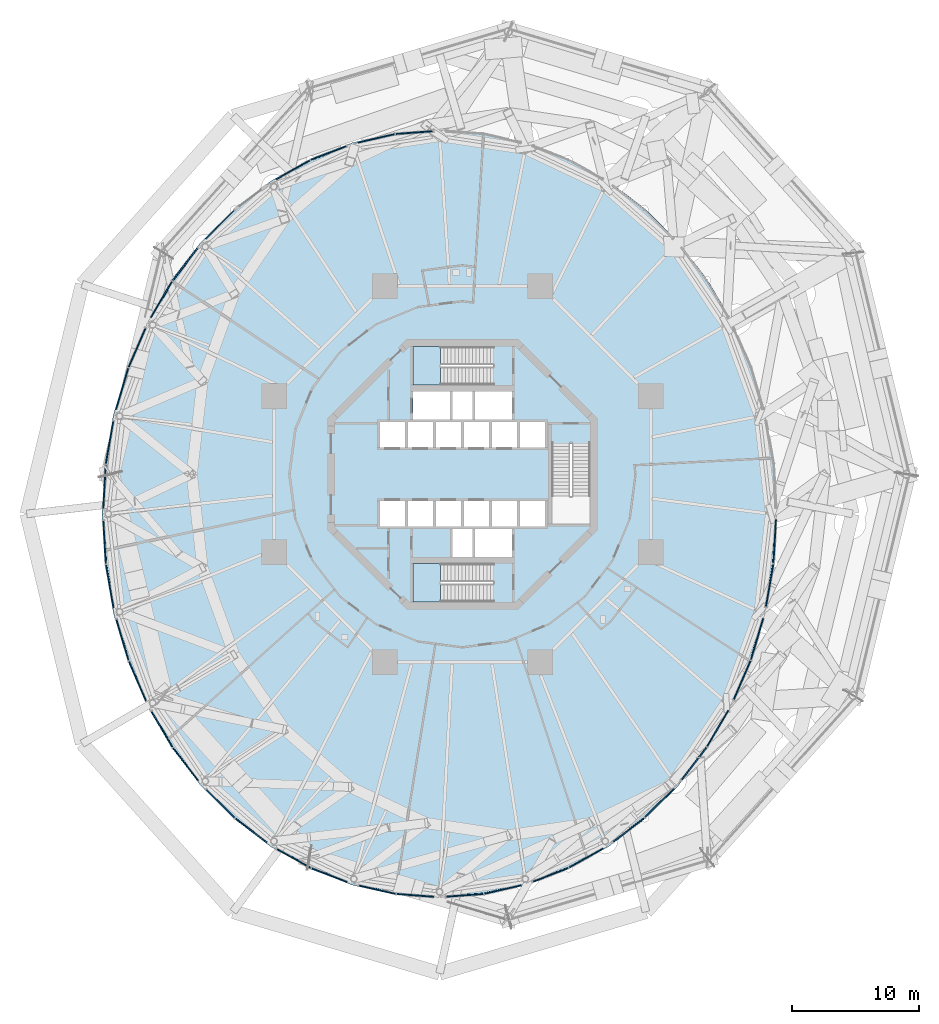
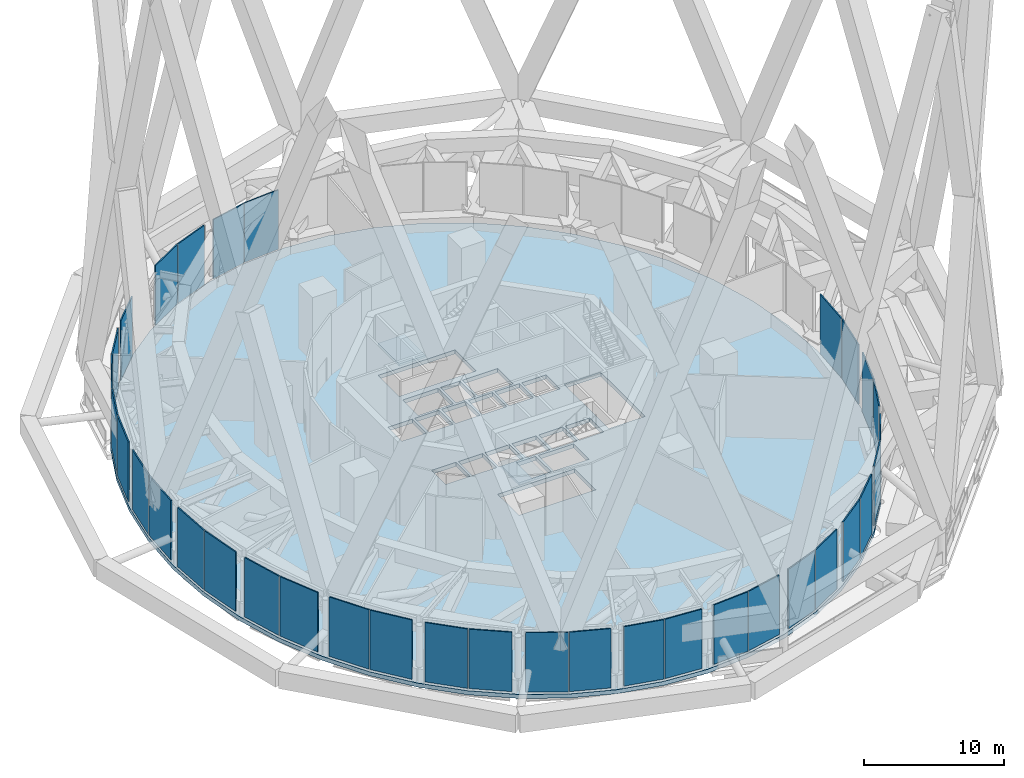
# One storey, part 36 of 49: 35 plates, 3 slabs, 37 elements without a shape of their own.
"""IFC4 building model written with IfcOpenShell, lengths in metres."""

from ifc_helpers import new_model, si_unit, direction, frame, origin, origin_2d, place, context, subcontext, project, spatial, polyline, rectangle, outline, extrude, material, layer, layer_set, type_object, element, aggregate, save


model = new_model("IFC4")

# Units and contexts
model_context = context("Model", 3, precision=1e-05, world=origin(), true_north=direction((0.0, 1.0)))
body_context = subcontext(model_context, "Body", "Model", "MODEL_VIEW")
ifc_project = project(units=[si_unit("LENGTHUNIT", "METRE"), si_unit("AREAUNIT", "SQUARE_METRE"), si_unit("VOLUMEUNIT", "CUBIC_METRE"), si_unit("PLANEANGLEUNIT", "RADIAN"), si_unit("MASSUNIT", "GRAM", prefix="KILO")], contexts=[model_context])

# Site, building, storey
site_placement = place(None, origin())
site = spatial("IfcSite", under=ifc_project, at=site_placement, CompositionType="ELEMENT")
building_placement = place(site_placement, origin())
building = spatial("IfcBuilding", under=site, at=building_placement, Name="Nagisa Residences", CompositionType="ELEMENT")
storey_placement = place(building_placement, frame((0.0, 0.0, 160.300048828125)))
storey = spatial("IfcBuildingStorey", under=building, at=storey_placement, Name="L40", CompositionType="ELEMENT", Elevation=160.300048828125)

# Curtain wall, plate
ifc_material_1 = material(Name="Aluminium curtain wall system", Category="aluminium")
ifc_layer_1 = layer(ifc_material_1, 0.159912109375)
ifc_layer_set_1 = layer_set([ifc_layer_1], Name="CW2 CURTAIN WALL")
curtain_wall_type = type_object("IfcCurtainWallType", Name="CW2 CURTAIN WALL", PredefinedType="NOTDEFINED", material=ifc_layer_set_1)
curtain_wall_1_placement = place(storey_placement, origin())
curtain_wall_1 = element("IfcCurtainWall", 1, at=curtain_wall_1_placement, inside=storey, type_object=curtain_wall_type, Name="cw:CW2:L40:12", PredefinedType="NOTDEFINED")
ifc_material_2 = material(Name="Insulated metal spandrel panel")
ifc_layer_2 = layer(ifc_material_2, 0.10009765625)
ifc_layer_set_2 = layer_set([ifc_layer_2], Name="CW2 SPANDREL PANEL")
plate_type = type_object("IfcPlateType", Name="CW2 SPANDREL PANEL", PredefinedType="SHEET", material=ifc_layer_set_2)
plate_1_placement = place(storey_placement, frame((-3.7900390625, 26.8486328125, 0.18017578125), z_axis=(0.0, 0.0, 1.0), x_axis=(-0.997230168512, -0.074377355493, 0.0)))
plate_1 = element("IfcPlate", 2, at=plate_1_placement, type_object=plate_type, Name="CW2 spandrel panel", PredefinedType="SHEET", context=body_context, shape_type="SweptSolid", body=[
    extrude(rectangle(XDim=2.943115234375, YDim=0.10009765625, at=origin_2d()), origin(), (0.0, 0.0, 1.0), 5.159912109375),
])
aggregate(curtain_wall_1, [plate_1])

curtain_wall_2_placement = place(storey_placement, origin())
curtain_wall_2 = element("IfcCurtainWall", 3, at=curtain_wall_2_placement, inside=storey, type_object=curtain_wall_type, Name="cw:CW2:L40:13", PredefinedType="NOTDEFINED")
plate_2_placement = place(storey_placement, frame((-6.767578125, 26.396484375, 0.18017578125), z_axis=(0.0, 0.0, 1.0), x_axis=(-0.975327274089, -0.2207639201, 0.0)))
plate_2 = element("IfcPlate", 4, at=plate_2_placement, type_object=plate_type, Name="CW2 spandrel panel", PredefinedType="SHEET", context=body_context, shape_type="SweptSolid", body=[
    extrude(rectangle(XDim=2.96044921875, YDim=0.10009765625, at=origin_2d()), origin(), (0.0, 0.0, 1.0), 5.159912109375),
])
aggregate(curtain_wall_2, [plate_2])

curtain_wall_3_placement = place(storey_placement, origin())
curtain_wall_3 = element("IfcCurtainWall", 5, at=curtain_wall_3_placement, inside=storey, type_object=curtain_wall_type, Name="cw:CW2:L40:14", PredefinedType="NOTDEFINED")
plate_3_placement = place(storey_placement, frame((-10.529541015625, 25.24365234375, 0.18017578125), z_axis=(0.0, 0.0, 1.0), x_axis=(-0.932825759707, -0.360327770268, 0.0)))
plate_3 = element("IfcPlate", 6, at=plate_3_placement, type_object=plate_type, Name="CW2 spandrel panel", PredefinedType="SHEET", context=body_context, shape_type="SweptSolid", body=[
    extrude(rectangle(XDim=2.993408203125, YDim=0.10009765625, at=origin_2d()), origin(), (0.0, 0.0, 1.0), 5.159912109375),
])
aggregate(curtain_wall_3, [plate_3])

curtain_wall_4_placement = place(storey_placement, origin())
curtain_wall_4 = element("IfcCurtainWall", 7, at=curtain_wall_4_placement, inside=storey, type_object=curtain_wall_type, Name="cw:CW2:L40:15", PredefinedType="NOTDEFINED")
plate_4_placement = place(storey_placement, frame((-13.310546875, 23.92626953125, 0.18017578125), z_axis=(0.0, 0.0, 1.0), x_axis=(-0.872072377523, -0.489376918501, 0.0)))
plate_4 = element("IfcPlate", 8, at=plate_4_placement, type_object=plate_type, Name="CW2 spandrel panel", PredefinedType="SHEET", context=body_context, shape_type="SweptSolid", body=[
    extrude(rectangle(XDim=3.03955078125, YDim=0.10009765625, at=origin_2d()), origin(), (0.0, 0.0, 1.0), 5.159912109375),
])
aggregate(curtain_wall_4, [plate_4])

curtain_wall_5_placement = place(storey_placement, origin())
curtain_wall_5 = element("IfcCurtainWall", 9, at=curtain_wall_5_placement, inside=storey, type_object=curtain_wall_type, Name="cw:CW2:L40:17", PredefinedType="NOTDEFINED")
plate_5_placement = place(storey_placement, frame((-19.07080078125, 19.609619140625, 0.18017578125), z_axis=(0.0, 0.0, 1.0), x_axis=(-0.707835924016, -0.706376885714, 0.0)))
plate_5 = element("IfcPlate", 10, at=plate_5_placement, type_object=plate_type, Name="CW2 spandrel panel", PredefinedType="SHEET", context=body_context, shape_type="SweptSolid", body=[
    extrude(rectangle(XDim=3.15673828125, YDim=0.10009765625, at=origin_2d()), origin(), (0.0, 0.0, 1.0), 5.159912109375),
])
aggregate(curtain_wall_5, [plate_5])

curtain_wall_6_placement = place(storey_placement, origin())
curtain_wall_6 = element("IfcCurtainWall", 11, at=curtain_wall_6_placement, inside=storey, type_object=curtain_wall_type, Name="cw:CW2:L40:18", PredefinedType="NOTDEFINED")
plate_6_placement = place(storey_placement, frame((-21.8056640625, 16.489990234375, 0.18017578125), z_axis=(0.0, 0.0, 1.0), x_axis=(-0.610429828235, -0.792070340816, 0.0)))
plate_6 = element("IfcPlate", 12, at=plate_6_placement, type_object=plate_type, Name="CW2 spandrel panel", PredefinedType="SHEET", context=body_context, shape_type="SweptSolid", body=[
    extrude(rectangle(XDim=3.218994140625, YDim=0.10009765625, at=origin_2d()), origin(), (0.0, 0.0, 1.0), 5.159912109375),
])
aggregate(curtain_wall_6, [plate_6])

curtain_wall_7_placement = place(storey_placement, origin())
curtain_wall_7 = element("IfcCurtainWall", 13, at=curtain_wall_7_placement, inside=storey, type_object=curtain_wall_type, Name="cw:CW2:L40:19", PredefinedType="NOTDEFINED")
plate_7_placement = place(storey_placement, frame((-23.653076171875, 13.740966796875, 0.18017578125), z_axis=(0.0, 0.0, 1.0), x_axis=(-0.506348567002, -0.862328898214, 0.0)))
plate_7 = element("IfcPlate", 14, at=plate_7_placement, type_object=plate_type, Name="CW2 spandrel panel", PredefinedType="SHEET", context=body_context, shape_type="SweptSolid", body=[
    extrude(rectangle(XDim=3.2783203125, YDim=0.10009765625, at=origin_2d()), origin(), (0.0, 0.0, 1.0), 5.159912109375),
])
aggregate(curtain_wall_7, [plate_7])

curtain_wall_8_placement = place(storey_placement, origin())
curtain_wall_8 = element("IfcCurtainWall", 15, at=curtain_wall_8_placement, inside=storey, type_object=curtain_wall_type, Name="cw:CW2:L40:20", PredefinedType="NOTDEFINED")
plate_8_placement = place(storey_placement, frame((-25.57958984375, 9.93359375, 0.18017578125), z_axis=(0.0, 0.0, 1.0), x_axis=(-0.397635934147, -0.917543276295, 0.0)))
plate_8 = element("IfcPlate", 16, at=plate_8_placement, type_object=plate_type, Name="CW2 spandrel panel", PredefinedType="SHEET", context=body_context, shape_type="SweptSolid", body=[
    extrude(rectangle(XDim=3.330810546875, YDim=0.10009765625, at=origin_2d()), origin(), (0.0, 0.0, 1.0), 5.159912109375),
])
aggregate(curtain_wall_8, [plate_8])

curtain_wall_9_placement = place(storey_placement, origin())
curtain_wall_9 = element("IfcCurtainWall", 17, at=curtain_wall_9_placement, inside=storey, type_object=curtain_wall_type, Name="cw:CW2:L40:21", PredefinedType="NOTDEFINED")
plate_9_placement = place(storey_placement, frame((-26.743408203125, 6.721923828125, 0.18017578125), z_axis=(0.0, 0.0, 1.0), x_axis=(-0.285860274038, -0.958271310082, 0.0)))
plate_9 = element("IfcPlate", 18, at=plate_9_placement, type_object=plate_type, Name="CW2 spandrel panel", PredefinedType="SHEET", context=body_context, shape_type="SweptSolid", body=[
    extrude(rectangle(XDim=3.373046875, YDim=0.10009765625, at=origin_2d()), origin(), (0.0, 0.0, 1.0), 5.159912109375),
])
aggregate(curtain_wall_9, [plate_9])

curtain_wall_10_placement = place(storey_placement, origin())
curtain_wall_10 = element("IfcCurtainWall", 19, at=curtain_wall_10_placement, inside=storey, type_object=curtain_wall_type, Name="cw:CW2:L40:22", PredefinedType="NOTDEFINED")
plate_10_placement = place(storey_placement, frame((-27.736328125, 2.485595703125, 0.18017578125), z_axis=(0.0, 0.0, 1.0), x_axis=(-0.172190868898, -0.985063604377, 0.0)))
plate_10 = element("IfcPlate", 20, at=plate_10_placement, type_object=plate_type, Name="CW2 spandrel panel", PredefinedType="SHEET", context=body_context, shape_type="SweptSolid", body=[
    extrude(rectangle(XDim=3.402587890625, YDim=0.10009765625, at=origin_2d()), origin(), (0.0, 0.0, 1.0), 5.159912109375),
])
aggregate(curtain_wall_10, [plate_10])

curtain_wall_11_placement = place(storey_placement, origin())
curtain_wall_11 = element("IfcCurtainWall", 21, at=curtain_wall_11_placement, inside=storey, type_object=curtain_wall_type, Name="cw:CW2:L40:23", PredefinedType="NOTDEFINED")
plate_11_placement = place(storey_placement, frame((-28.131103515625, -0.967041015625, 0.18017578125), z_axis=(0.0, 0.0, 1.0), x_axis=(-0.057503492216, -0.998345305184, 0.0)))
plate_11 = element("IfcPlate", 22, at=plate_11_placement, type_object=plate_type, Name="CW2 spandrel panel", PredefinedType="SHEET", context=body_context, shape_type="SweptSolid", body=[
    extrude(rectangle(XDim=3.417724609375, YDim=0.10009765625, at=origin_2d()), origin(), (0.0, 0.0, 1.0), 5.159912109375),
])
aggregate(curtain_wall_11, [plate_11])

curtain_wall_12_placement = place(storey_placement, origin())
curtain_wall_12 = element("IfcCurtainWall", 23, at=curtain_wall_12_placement, inside=storey, type_object=curtain_wall_type, Name="cw:CW2:L40:24", PredefinedType="NOTDEFINED")
plate_12_placement = place(storey_placement, frame((-28.12646484375, -5.348388671875, 0.18017578125), z_axis=(0.0, 0.0, 1.0), x_axis=(0.057503492216, -0.998345305184, 0.0)))
plate_12 = element("IfcPlate", 24, at=plate_12_placement, type_object=plate_type, Name="CW2 spandrel panel", PredefinedType="SHEET", context=body_context, shape_type="SweptSolid", body=[
    extrude(rectangle(XDim=3.417724609375, YDim=0.10009765625, at=origin_2d()), origin(), (0.0, 0.0, 1.0), 5.159912109375),
])
aggregate(curtain_wall_12, [plate_12])

curtain_wall_13_placement = place(storey_placement, origin())
curtain_wall_13 = element("IfcCurtainWall", 25, at=curtain_wall_13_placement, inside=storey, type_object=curtain_wall_type, Name="cw:CW2:L40:25", PredefinedType="NOTDEFINED")
plate_13_placement = place(storey_placement, frame((-27.722412109375, -8.7998046875, 0.18017578125), z_axis=(0.0, 0.0, 1.0), x_axis=(0.172190868898, -0.985063604377, 0.0)))
plate_13 = element("IfcPlate", 26, at=plate_13_placement, type_object=plate_type, Name="CW2 spandrel panel", PredefinedType="SHEET", context=body_context, shape_type="SweptSolid", body=[
    extrude(rectangle(XDim=3.402587890625, YDim=0.10009765625, at=origin_2d()), origin(), (0.0, 0.0, 1.0), 5.159912109375),
])
aggregate(curtain_wall_13, [plate_13])

curtain_wall_14_placement = place(storey_placement, origin())
curtain_wall_14 = element("IfcCurtainWall", 27, at=curtain_wall_14_placement, inside=storey, type_object=curtain_wall_type, Name="cw:CW2:L40:26", PredefinedType="NOTDEFINED")
plate_14_placement = place(storey_placement, frame((-26.720458984375, -13.033935546875, 0.18017578125), z_axis=(0.0, 0.0, 1.0), x_axis=(0.285860274038, -0.958271310082, 0.0)))
plate_14 = element("IfcPlate", 28, at=plate_14_placement, type_object=plate_type, Name="CW2 spandrel panel", PredefinedType="SHEET", context=body_context, shape_type="SweptSolid", body=[
    extrude(rectangle(XDim=3.373046875, YDim=0.10009765625, at=origin_2d()), origin(), (0.0, 0.0, 1.0), 5.159912109375),
])
aggregate(curtain_wall_14, [plate_14])

curtain_wall_15_placement = place(storey_placement, origin())
curtain_wall_15 = element("IfcCurtainWall", 29, at=curtain_wall_15_placement, inside=storey, type_object=curtain_wall_type, Name="cw:CW2:L40:27", PredefinedType="NOTDEFINED")
plate_15_placement = place(storey_placement, frame((-25.547607421875, -16.242431640625, 0.18017578125), z_axis=(0.0, 0.0, 1.0), x_axis=(0.397635934147, -0.917543276295, 0.0)))
plate_15 = element("IfcPlate", 30, at=plate_15_placement, type_object=plate_type, Name="CW2 spandrel panel", PredefinedType="SHEET", context=body_context, shape_type="SweptSolid", body=[
    extrude(rectangle(XDim=3.330810546875, YDim=0.10009765625, at=origin_2d()), origin(), (0.0, 0.0, 1.0), 5.159912109375),
])
aggregate(curtain_wall_15, [plate_15])

curtain_wall_16_placement = place(storey_placement, origin())
curtain_wall_16 = element("IfcCurtainWall", 31, at=curtain_wall_16_placement, inside=storey, type_object=curtain_wall_type, Name="cw:CW2:L40:28", PredefinedType="NOTDEFINED")
plate_16_placement = place(storey_placement, frame((-23.612548828125, -20.045166015625, 0.18017578125), z_axis=(0.0, 0.0, 1.0), x_axis=(0.506348567002, -0.862328898214, 0.0)))
plate_16 = element("IfcPlate", 32, at=plate_16_placement, type_object=plate_type, Name="CW2 spandrel panel", PredefinedType="SHEET", context=body_context, shape_type="SweptSolid", body=[
    extrude(rectangle(XDim=3.2783203125, YDim=0.10009765625, at=origin_2d()), origin(), (0.0, 0.0, 1.0), 5.159912109375),
])
aggregate(curtain_wall_16, [plate_16])

curtain_wall_17_placement = place(storey_placement, origin())
curtain_wall_17 = element("IfcCurtainWall", 33, at=curtain_wall_17_placement, inside=storey, type_object=curtain_wall_type, Name="cw:CW2:L40:29", PredefinedType="NOTDEFINED")
plate_17_placement = place(storey_placement, frame((-21.7568359375, -22.78857421875, 0.18017578125), z_axis=(0.0, 0.0, 1.0), x_axis=(0.610429828235, -0.792070340816, 0.0)))
plate_17 = element("IfcPlate", 34, at=plate_17_placement, type_object=plate_type, Name="CW2 spandrel panel", PredefinedType="SHEET", context=body_context, shape_type="SweptSolid", body=[
    extrude(rectangle(XDim=3.218994140625, YDim=0.10009765625, at=origin_2d()), origin(), (0.0, 0.0, 1.0), 5.159912109375),
])
aggregate(curtain_wall_17, [plate_17])

curtain_wall_18_placement = place(storey_placement, origin())
curtain_wall_18 = element("IfcCurtainWall", 35, at=curtain_wall_18_placement, inside=storey, type_object=curtain_wall_type, Name="cw:CW2:L40:30", PredefinedType="NOTDEFINED")
plate_18_placement = place(storey_placement, frame((-19.01416015625, -25.9013671875, 0.18017578125), z_axis=(0.0, 0.0, 1.0), x_axis=(0.707835924016, -0.706376885714, 0.0)))
plate_18 = element("IfcPlate", 36, at=plate_18_placement, type_object=plate_type, Name="CW2 spandrel panel", PredefinedType="SHEET", context=body_context, shape_type="SweptSolid", body=[
    extrude(rectangle(XDim=3.15673828125, YDim=0.10009765625, at=origin_2d()), origin(), (0.0, 0.0, 1.0), 5.159912109375),
])
aggregate(curtain_wall_18, [plate_18])

curtain_wall_19_placement = place(storey_placement, origin())
curtain_wall_19 = element("IfcCurtainWall", 37, at=curtain_wall_19_placement, inside=storey, type_object=curtain_wall_type, Name="cw:CW2:L40:31", PredefinedType="NOTDEFINED")
plate_19_placement = place(storey_placement, frame((-16.609375, -27.99462890625, 0.18017578125), z_axis=(0.0, 0.0, 1.0), x_axis=(0.79603132756, -0.605255421737, 0.0)))
plate_19 = element("IfcPlate", 38, at=plate_19_placement, type_object=plate_type, Name="CW2 spandrel panel", PredefinedType="SHEET", context=body_context, shape_type="SweptSolid", body=[
    extrude(rectangle(XDim=3.095458984375, YDim=0.10009765625, at=origin_2d()), origin(), (0.0, 0.0, 1.0), 5.159912109375),
])
aggregate(curtain_wall_19, [plate_19])

curtain_wall_20_placement = place(storey_placement, origin())
curtain_wall_20 = element("IfcCurtainWall", 39, at=curtain_wall_20_placement, inside=storey, type_object=curtain_wall_type, Name="cw:CW2:L40:32", PredefinedType="NOTDEFINED")
plate_20_placement = place(storey_placement, frame((-13.24072265625, -30.20068359375, 0.18017578125), z_axis=(0.0, 0.0, 1.0), x_axis=(0.872072377523, -0.489376918501, 0.0)))
plate_20 = element("IfcPlate", 40, at=plate_20_placement, type_object=plate_type, Name="CW2 spandrel panel", PredefinedType="SHEET", context=body_context, shape_type="SweptSolid", body=[
    extrude(rectangle(XDim=3.03955078125, YDim=0.10009765625, at=origin_2d()), origin(), (0.0, 0.0, 1.0), 5.159912109375),
])
aggregate(curtain_wall_20, [plate_20])

curtain_wall_21_placement = place(storey_placement, origin())
curtain_wall_21 = element("IfcCurtainWall", 41, at=curtain_wall_21_placement, inside=storey, type_object=curtain_wall_type, Name="cw:CW2:L40:33", PredefinedType="NOTDEFINED")
plate_21_placement = place(storey_placement, frame((-10.454833984375, -31.5078125, 0.18017578125), z_axis=(0.0, 0.0, 1.0), x_axis=(0.932825759707, -0.360327770268, 0.0)))
plate_21 = element("IfcPlate", 42, at=plate_21_placement, type_object=plate_type, Name="CW2 spandrel panel", PredefinedType="SHEET", context=body_context, shape_type="SweptSolid", body=[
    extrude(rectangle(XDim=2.993408203125, YDim=0.10009765625, at=origin_2d()), origin(), (0.0, 0.0, 1.0), 5.159912109375),
])
aggregate(curtain_wall_21, [plate_21])

curtain_wall_22_placement = place(storey_placement, origin())
curtain_wall_22 = element("IfcCurtainWall", 43, at=curtain_wall_22_placement, inside=storey, type_object=curtain_wall_type, Name="cw:CW2:L40:34", PredefinedType="NOTDEFINED")
plate_22_placement = place(storey_placement, frame((-6.689453125, -32.649658203125, 0.18017578125), z_axis=(0.0, 0.0, 1.0), x_axis=(0.975327274089, -0.2207639201, 0.0)))
plate_22 = element("IfcPlate", 44, at=plate_22_placement, type_object=plate_type, Name="CW2 spandrel panel", PredefinedType="SHEET", context=body_context, shape_type="SweptSolid", body=[
    extrude(rectangle(XDim=2.96044921875, YDim=0.10009765625, at=origin_2d()), origin(), (0.0, 0.0, 1.0), 5.159912109375),
])
aggregate(curtain_wall_22, [plate_22])

curtain_wall_23_placement = place(storey_placement, origin())
curtain_wall_23 = element("IfcCurtainWall", 45, at=curtain_wall_23_placement, inside=storey, type_object=curtain_wall_type, Name="cw:CW2:L40:35", PredefinedType="NOTDEFINED")
plate_23_placement = place(storey_placement, frame((-3.710205078125, -33.090087890625, 0.18017578125), z_axis=(0.0, 0.0, 1.0), x_axis=(0.997230168512, -0.074377355493, 0.0)))
plate_23 = element("IfcPlate", 46, at=plate_23_placement, type_object=plate_type, Name="CW2 spandrel panel", PredefinedType="SHEET", context=body_context, shape_type="SweptSolid", body=[
    extrude(rectangle(XDim=2.943115234375, YDim=0.10009765625, at=origin_2d()), origin(), (0.0, 0.0, 1.0), 5.159912109375),
])
aggregate(curtain_wall_23, [plate_23])

curtain_wall_24_placement = place(storey_placement, origin())
curtain_wall_24 = element("IfcCurtainWall", 47, at=curtain_wall_24_placement, inside=storey, type_object=curtain_wall_type, Name="cw:CW2:L40:36", PredefinedType="NOTDEFINED")
plate_24_placement = place(storey_placement, frame((0.190185546875, -33.083984375, 0.18017578125), z_axis=(0.0, 0.0, 1.0), x_axis=(0.997230168512, 0.074377355493, 0.0)))
plate_24 = element("IfcPlate", 48, at=plate_24_placement, type_object=plate_type, Name="CW2 spandrel panel", PredefinedType="SHEET", context=body_context, shape_type="SweptSolid", body=[
    extrude(rectangle(XDim=2.943115234375, YDim=0.10009765625, at=origin_2d()), origin(), (0.0, 0.0, 1.0), 5.159912109375),
])
aggregate(curtain_wall_24, [plate_24])

curtain_wall_25_placement = place(storey_placement, origin())
curtain_wall_25 = element("IfcCurtainWall", 49, at=curtain_wall_25_placement, inside=storey, type_object=curtain_wall_type, Name="cw:CW2:L40:37", PredefinedType="NOTDEFINED")
plate_25_placement = place(storey_placement, frame((3.16748046875, -32.6318359375, 0.18017578125), z_axis=(0.0, 0.0, 1.0), x_axis=(0.975327274089, 0.2207639201, 0.0)))
plate_25 = element("IfcPlate", 50, at=plate_25_placement, type_object=plate_type, Name="CW2 spandrel panel", PredefinedType="SHEET", context=body_context, shape_type="SweptSolid", body=[
    extrude(rectangle(XDim=2.96044921875, YDim=0.10009765625, at=origin_2d()), origin(), (0.0, 0.0, 1.0), 5.159912109375),
])
aggregate(curtain_wall_25, [plate_25])

curtain_wall_26_placement = place(storey_placement, origin())
curtain_wall_26 = element("IfcCurtainWall", 51, at=curtain_wall_26_placement, inside=storey, type_object=curtain_wall_type, Name="cw:CW2:L40:38", PredefinedType="NOTDEFINED")
plate_26_placement = place(storey_placement, frame((6.929443359375, -31.47900390625, 0.18017578125), z_axis=(0.0, 0.0, 1.0), x_axis=(0.932825759707, 0.360327770268, 0.0)))
plate_26 = element("IfcPlate", 52, at=plate_26_placement, type_object=plate_type, Name="CW2 spandrel panel", PredefinedType="SHEET", context=body_context, shape_type="SweptSolid", body=[
    extrude(rectangle(XDim=2.993408203125, YDim=0.10009765625, at=origin_2d()), origin(), (0.0, 0.0, 1.0), 5.159912109375),
])
aggregate(curtain_wall_26, [plate_26])

curtain_wall_27_placement = place(storey_placement, origin())
curtain_wall_27 = element("IfcCurtainWall", 53, at=curtain_wall_27_placement, inside=storey, type_object=curtain_wall_type, Name="cw:CW2:L40:39", PredefinedType="NOTDEFINED")
plate_27_placement = place(storey_placement, frame((9.71044921875, -30.16162109375, 0.18017578125), z_axis=(0.0, 0.0, 1.0), x_axis=(0.872072377523, 0.489376918501, 0.0)))
plate_27 = element("IfcPlate", 54, at=plate_27_placement, type_object=plate_type, Name="CW2 spandrel panel", PredefinedType="SHEET", context=body_context, shape_type="SweptSolid", body=[
    extrude(rectangle(XDim=3.03955078125, YDim=0.10009765625, at=origin_2d()), origin(), (0.0, 0.0, 1.0), 5.159912109375),
])
aggregate(curtain_wall_27, [plate_27])

curtain_wall_28_placement = place(storey_placement, origin())
curtain_wall_28 = element("IfcCurtainWall", 55, at=curtain_wall_28_placement, inside=storey, type_object=curtain_wall_type, Name="cw:CW2:L40:40", PredefinedType="NOTDEFINED")
plate_28_placement = place(storey_placement, frame((13.072998046875, -27.946044921875, 0.18017578125), z_axis=(0.0, 0.0, 1.0), x_axis=(0.79603132756, 0.605255421737, 0.0)))
plate_28 = element("IfcPlate", 56, at=plate_28_placement, type_object=plate_type, Name="CW2 spandrel panel", PredefinedType="SHEET", context=body_context, shape_type="SweptSolid", body=[
    extrude(rectangle(XDim=3.095458984375, YDim=0.10009765625, at=origin_2d()), origin(), (0.0, 0.0, 1.0), 5.159912109375),
])
aggregate(curtain_wall_28, [plate_28])

curtain_wall_29_placement = place(storey_placement, origin())
curtain_wall_29 = element("IfcCurtainWall", 57, at=curtain_wall_29_placement, inside=storey, type_object=curtain_wall_type, Name="cw:CW2:L40:41", PredefinedType="NOTDEFINED")
plate_29_placement = place(storey_placement, frame((15.470703125, -25.844970703125, 0.18017578125), z_axis=(0.0, 0.0, 1.0), x_axis=(0.707835924016, 0.706376885714, 0.0)))
plate_29 = element("IfcPlate", 58, at=plate_29_placement, type_object=plate_type, Name="CW2 spandrel panel", PredefinedType="SHEET", context=body_context, shape_type="SweptSolid", body=[
    extrude(rectangle(XDim=3.15673828125, YDim=0.10009765625, at=origin_2d()), origin(), (0.0, 0.0, 1.0), 5.159912109375),
])
aggregate(curtain_wall_29, [plate_29])

curtain_wall_30_placement = place(storey_placement, origin())
curtain_wall_30 = element("IfcCurtainWall", 59, at=curtain_wall_30_placement, inside=storey, type_object=curtain_wall_type, Name="cw:CW2:L40:42", PredefinedType="NOTDEFINED")
plate_30_placement = place(storey_placement, frame((18.205810546875, -22.725341796875, 0.18017578125), z_axis=(0.0, 0.0, 1.0), x_axis=(0.610429828235, 0.792070340816, 0.0)))
plate_30 = element("IfcPlate", 60, at=plate_30_placement, type_object=plate_type, Name="CW2 spandrel panel", PredefinedType="SHEET", context=body_context, shape_type="SweptSolid", body=[
    extrude(rectangle(XDim=3.218994140625, YDim=0.10009765625, at=origin_2d()), origin(), (0.0, 0.0, 1.0), 5.159912109375),
])
aggregate(curtain_wall_30, [plate_30])

curtain_wall_31_placement = place(storey_placement, origin())
curtain_wall_31 = element("IfcCurtainWall", 61, at=curtain_wall_31_placement, inside=storey, type_object=curtain_wall_type, Name="cw:CW2:L40:43", PredefinedType="NOTDEFINED")
plate_31_placement = place(storey_placement, frame((20.05322265625, -19.976318359375, 0.18017578125), z_axis=(0.0, 0.0, 1.0), x_axis=(0.506348567002, 0.862328898214, 0.0)))
plate_31 = element("IfcPlate", 62, at=plate_31_placement, type_object=plate_type, Name="CW2 spandrel panel", PredefinedType="SHEET", context=body_context, shape_type="SweptSolid", body=[
    extrude(rectangle(XDim=3.2783203125, YDim=0.10009765625, at=origin_2d()), origin(), (0.0, 0.0, 1.0), 5.159912109375),
])
aggregate(curtain_wall_31, [plate_31])

curtain_wall_32_placement = place(storey_placement, origin())
curtain_wall_32 = element("IfcCurtainWall", 63, at=curtain_wall_32_placement, inside=storey, type_object=curtain_wall_type, Name="cw:CW2:L40:44", PredefinedType="NOTDEFINED")
plate_32_placement = place(storey_placement, frame((21.9794921875, -16.1689453125, 0.18017578125), z_axis=(0.0, 0.0, 1.0), x_axis=(0.397635934147, 0.917543276295, 0.0)))
plate_32 = element("IfcPlate", 64, at=plate_32_placement, type_object=plate_type, Name="CW2 spandrel panel", PredefinedType="SHEET", context=body_context, shape_type="SweptSolid", body=[
    extrude(rectangle(XDim=3.330810546875, YDim=0.10009765625, at=origin_2d()), origin(), (0.0, 0.0, 1.0), 5.159912109375),
])
aggregate(curtain_wall_32, [plate_32])

curtain_wall_33_placement = place(storey_placement, origin())
curtain_wall_33 = element("IfcCurtainWall", 65, at=curtain_wall_33_placement, inside=storey, type_object=curtain_wall_type, Name="cw:CW2:L40:45", PredefinedType="NOTDEFINED")
plate_33_placement = place(storey_placement, frame((23.1435546875, -12.957275390625, 0.18017578125), z_axis=(0.0, 0.0, 1.0), x_axis=(0.285860274038, 0.958271310082, 0.0)))
plate_33 = element("IfcPlate", 66, at=plate_33_placement, type_object=plate_type, Name="CW2 spandrel panel", PredefinedType="SHEET", context=body_context, shape_type="SweptSolid", body=[
    extrude(rectangle(XDim=3.373046875, YDim=0.10009765625, at=origin_2d()), origin(), (0.0, 0.0, 1.0), 5.159912109375),
])
aggregate(curtain_wall_33, [plate_33])

curtain_wall_34_placement = place(storey_placement, origin())
curtain_wall_34 = element("IfcCurtainWall", 67, at=curtain_wall_34_placement, inside=storey, type_object=curtain_wall_type, Name="cw:CW2:L40:46", PredefinedType="NOTDEFINED")
plate_34_placement = place(storey_placement, frame((24.13623046875, -8.720947265625, 0.18017578125), z_axis=(0.0, 0.0, 1.0), x_axis=(0.172190868898, 0.985063604377, 0.0)))
plate_34 = element("IfcPlate", 68, at=plate_34_placement, type_object=plate_type, Name="CW2 spandrel panel", PredefinedType="SHEET", context=body_context, shape_type="SweptSolid", body=[
    extrude(rectangle(XDim=3.402587890625, YDim=0.10009765625, at=origin_2d()), origin(), (0.0, 0.0, 1.0), 5.159912109375),
])
aggregate(curtain_wall_34, [plate_34])

curtain_wall_35_placement = place(storey_placement, origin())
curtain_wall_35 = element("IfcCurtainWall", 69, at=curtain_wall_35_placement, inside=storey, type_object=curtain_wall_type, Name="cw:CW2:L40:47", PredefinedType="NOTDEFINED")
plate_35_placement = place(storey_placement, frame((24.531005859375, -5.268310546875, 0.18017578125), z_axis=(0.0, 0.0, 1.0), x_axis=(0.057503492216, 0.998345305184, 0.0)))
plate_35 = element("IfcPlate", 70, at=plate_35_placement, type_object=plate_type, Name="CW2 spandrel panel", PredefinedType="SHEET", context=body_context, shape_type="SweptSolid", body=[
    extrude(rectangle(XDim=3.417724609375, YDim=0.10009765625, at=origin_2d()), origin(), (0.0, 0.0, 1.0), 5.159912109375),
])
aggregate(curtain_wall_35, [plate_35])

# Slab
ifc_material_3 = material(Name="Concrete C40", Category="concrete")
ifc_layer_3 = layer(ifc_material_3, 0.35009765625)
ifc_layer_set_3 = layer_set([ifc_layer_3], Name="Floor slab 350")
slab_type_1 = type_object("IfcSlabType", Name="Floor slab 350", PredefinedType="FLOOR", material=ifc_layer_set_3)
slab_1_placement = place(storey_placement, frame((0.0, 0.0, -0.35009765625)))
element("IfcSlab", 71, at=slab_1_placement, inside=storey, type_object=slab_type_1, Name="slab:L40:floor", PredefinedType="FLOOR", context=body_context, shape_type="SweptSolid", body=[
    extrude(outline(polyline([(24.735107421875, -3.11767578125), (24.508056640625, 0.823486328125), (23.830810546875, 4.697265625), (22.715087890625, 8.4375), (21.179931640625, 11.979736328125), (19.251708984375, 15.263916015625), (16.963134765625, 18.2333984375), (14.353515625, 20.837646484375), (11.467529296875, 23.031982421875), (8.3544921875, 24.77880859375), (5.06787109375, 26.04833984375), (1.66357421875, 26.819091796875), (-1.800048828125, 27.077392578125), (-5.263427734375, 26.819091796875), (-8.667724609375, 26.04833984375), (-11.95458984375, 24.77880859375), (-15.0673828125, 23.031982421875), (-17.953369140625, 20.837646484375), (-20.56298828125, 18.2333984375), (-22.8515625, 15.263916015625), (-24.780029296875, 11.979736328125), (-26.315185546875, 8.4375), (-27.430908203125, 4.697265625), (-28.10791015625, 0.823486328125), (-28.3349609375, -3.11767578125), (-28.10791015625, -7.058837890625), (-27.430908203125, -10.9326171875), (-26.315185546875, -14.6728515625), (-24.780029296875, -18.215087890625), (-22.8515625, -21.499267578125), (-20.56298828125, -24.46875), (-17.953369140625, -27.072998046875), (-15.0673828125, -29.267333984375), (-11.95458984375, -31.01416015625), (-8.667724609375, -32.283935546875), (-5.263427734375, -33.054443359375), (-1.800048828125, -33.312744140625), (1.66357421875, -33.054443359375), (5.06787109375, -32.283935546875), (8.3544921875, -31.01416015625), (11.467529296875, -29.267333984375), (14.353515625, -27.072998046875), (16.963134765625, -24.46875), (19.251708984375, -21.499267578125), (21.179931640625, -18.215087890625), (22.715087890625, -14.6728515625), (23.830810546875, -10.9326171875), (24.508056640625, -7.058837890625), (24.735107421875, -3.11767578125)]), holes=[polyline([(-4.5, 2.10009765625), (-4.5, 4.10009765625), (-6.5, 4.10009765625), (-6.5, 2.10009765625), (-4.5, 2.10009765625)]), polyline([(-2.300048828125, 2.10009765625), (-2.300048828125, 4.10009765625), (-4.300048828125, 4.10009765625), (-4.300048828125, 2.10009765625), (-2.300048828125, 2.10009765625)]), polyline([(-0.10009765625, 2.10009765625), (-0.10009765625, 4.10009765625), (-2.10009765625, 4.10009765625), (-2.10009765625, 2.10009765625), (-0.10009765625, 2.10009765625)]), polyline([(2.10009765625, 2.10009765625), (2.10009765625, 4.10009765625), (0.10009765625, 4.10009765625), (0.10009765625, 2.10009765625), (2.10009765625, 2.10009765625)]), polyline([(4.300048828125, 2.10009765625), (4.300048828125, 4.10009765625), (2.300048828125, 4.10009765625), (2.300048828125, 2.10009765625), (4.300048828125, 2.10009765625)]), polyline([(6.5, 2.10009765625), (6.5, 4.10009765625), (4.5, 4.10009765625), (4.5, 2.10009765625), (6.5, 2.10009765625)]), polyline([(-4.5, -4.10009765625), (-4.5, -2.10009765625), (-6.5, -2.10009765625), (-6.5, -4.10009765625), (-4.5, -4.10009765625)]), polyline([(-2.300048828125, -4.10009765625), (-2.300048828125, -2.10009765625), (-4.300048828125, -2.10009765625), (-4.300048828125, -4.10009765625), (-2.300048828125, -4.10009765625)]), polyline([(-0.10009765625, -4.10009765625), (-0.10009765625, -2.10009765625), (-2.10009765625, -2.10009765625), (-2.10009765625, -4.10009765625), (-0.10009765625, -4.10009765625)]), polyline([(2.10009765625, -4.10009765625), (2.10009765625, -2.10009765625), (0.10009765625, -2.10009765625), (0.10009765625, -4.10009765625), (2.10009765625, -4.10009765625)]), polyline([(4.300048828125, -4.10009765625), (4.300048828125, -2.10009765625), (2.300048828125, -2.10009765625), (2.300048828125, -4.10009765625), (4.300048828125, -4.10009765625)]), polyline([(6.5, -4.10009765625), (6.5, -2.10009765625), (4.5, -2.10009765625), (4.5, -4.10009765625), (6.5, -4.10009765625)]), polyline([(3.89990234375, 4.300048828125), (3.89990234375, 6.5), (1.0, 6.5), (1.0, 4.300048828125), (3.89990234375, 4.300048828125)]), polyline([(3.89990234375, -6.5), (3.89990234375, -4.300048828125), (1.0, -4.300048828125), (1.0, -6.5), (3.89990234375, -6.5)]), polyline([(-1.0, 4.300048828125), (-1.0, 6.5), (-3.89990234375, 6.5), (-3.89990234375, 4.300048828125), (-1.0, 4.300048828125)]), polyline([(0.800048828125, 4.300048828125), (0.800048828125, 6.5), (-0.800048828125, 6.5), (-0.800048828125, 4.300048828125), (0.800048828125, 4.300048828125)]), polyline([(0.800048828125, -6.5), (0.800048828125, -4.300048828125), (-0.800048828125, -4.300048828125), (-0.800048828125, -6.5), (0.800048828125, -6.5)]), polyline([(10.024658203125, -3.89990234375), (7.024658203125, -3.89990234375), (7.024658203125, 2.425048828125), (10.024658203125, 2.425048828125), (10.024658203125, -3.89990234375)]), polyline([(-3.89990234375, 7.024658203125), (-3.89990234375, 10.024658203125), (2.425048828125, 10.024658203125), (2.425048828125, 7.024658203125), (-3.89990234375, 7.024658203125)]), polyline([(-3.89990234375, -10.024658203125), (-3.89990234375, -7.024658203125), (2.425048828125, -7.024658203125), (2.425048828125, -10.024658203125), (-3.89990234375, -10.024658203125)])]), origin(), (0.0, 0.0, 1.0), 0.35009765625),
])

# Stair, slab
ifc_material_4 = material(Name="Concrete C60", Category="concrete")
stair_type = type_object("IfcStairType", Name="Exit stair", PredefinedType="HALF_TURN_STAIR", material=ifc_material_4)
stair_1_placement = place(storey_placement, origin())
stair_1 = element("IfcStair", 72, at=stair_1_placement, inside=storey, type_object=stair_type, Name="L40 Exit stair N", PredefinedType="HALF_TURN_STAIR")
ifc_material_5 = material(Name="Concrete C60", Category="concrete")
ifc_layer_4 = layer(ifc_material_5, 0.199951171875)
ifc_layer_set_4 = layer_set([ifc_layer_4], Name="Stair landing")
slab_type_2 = type_object("IfcSlabType", Name="Stair landing", PredefinedType="LANDING", material=ifc_layer_set_4)
slab_2_placement = place(storey_placement, frame((0.0, 0.0, 2.599853515625)))
slab_2 = element("IfcSlab", 73, at=slab_2_placement, type_object=slab_type_2, Name="ST-N landing 1", PredefinedType="LANDING", context=body_context, shape_type="SweptSolid", body=[
    extrude(outline(polyline([(-1.72509765625, 10.024658203125), (-3.89990234375, 10.024658203125), (-3.89990234375, 7.024658203125), (-1.72509765625, 7.024658203125), (-1.72509765625, 10.024658203125)])), origin(), (0.0, 0.0, 1.0), 0.2001953125),
])
aggregate(stair_1, [slab_2])

stair_2_placement = place(storey_placement, origin())
stair_2 = element("IfcStair", 74, at=stair_2_placement, inside=storey, type_object=stair_type, Name="L40 Exit stair S", PredefinedType="HALF_TURN_STAIR")
slab_3_placement = place(storey_placement, frame((0.0, 0.0, 2.599853515625)))
slab_3 = element("IfcSlab", 75, at=slab_3_placement, type_object=slab_type_2, Name="ST-S landing 1", PredefinedType="LANDING", context=body_context, shape_type="SweptSolid", body=[
    extrude(outline(polyline([(-1.72509765625, -7.024658203125), (-3.89990234375, -7.024658203125), (-3.89990234375, -10.024658203125), (-1.72509765625, -10.024658203125), (-1.72509765625, -7.024658203125)])), origin(), (0.0, 0.0, 1.0), 0.2001953125),
])
aggregate(stair_2, [slab_3])

save(model, "model.ifc")
